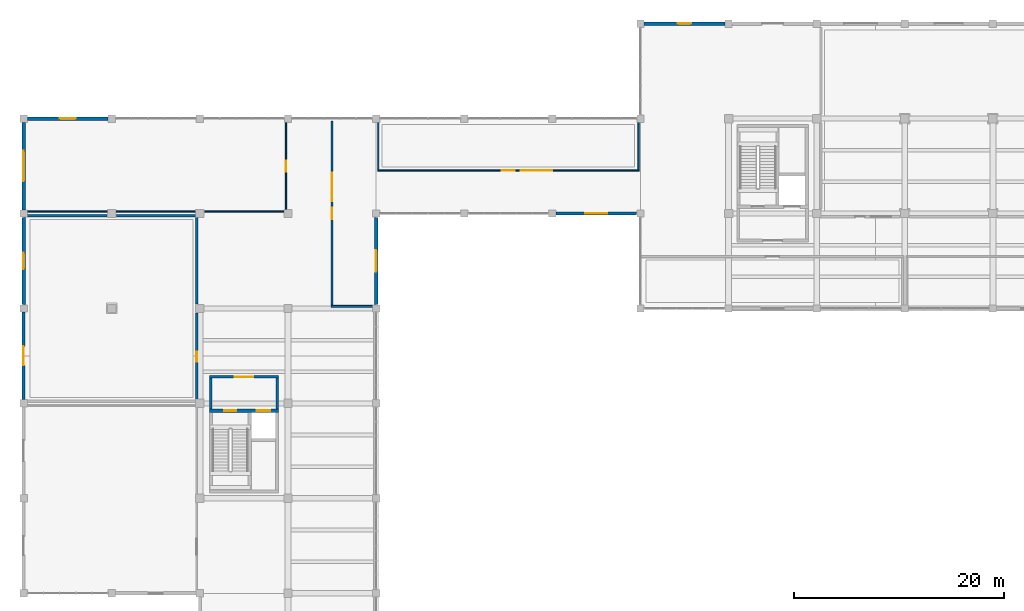
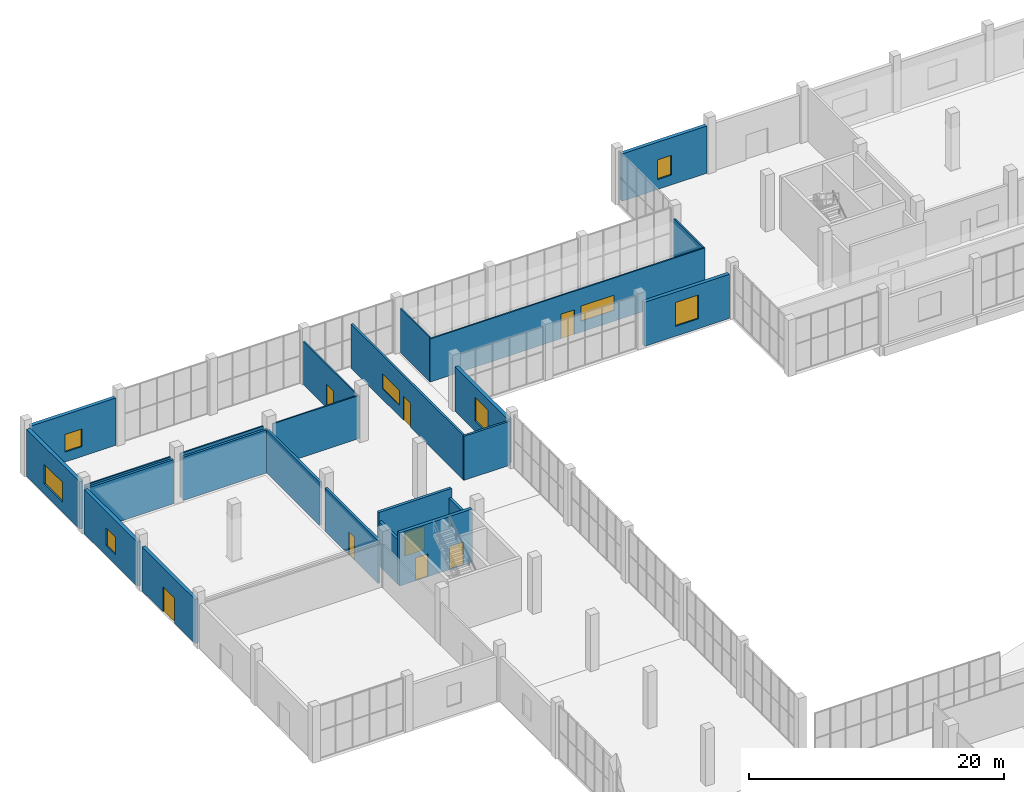
# One storey, part 80 of 91: 24 walls, 8 doors, 8 windows, 16 openings.
"""IFC4 building model written with IfcOpenShell, lengths in metres."""

from ifc_helpers import new_model, si_unit, direction, frame, frame_2d, origin, place, context, subcontext, project, spatial, rectangle, extrude, material, layer, layer_set, type_object, element, fill, save


model = new_model("IFC4")

# Units and contexts
model_context = context("Model", 3, precision=1e-05, world=origin(), true_north=direction((0.0, 1.0)))
body_context = subcontext(model_context, "Body", "Model", "MODEL_VIEW")
ifc_project = project(units=[si_unit("LENGTHUNIT", "METRE"), si_unit("AREAUNIT", "SQUARE_METRE"), si_unit("VOLUMEUNIT", "CUBIC_METRE"), si_unit("PLANEANGLEUNIT", "RADIAN"), si_unit("MASSUNIT", "GRAM", prefix="KILO")], contexts=[model_context])

# Site, building, storey
site_placement = place(None, origin())
site = spatial("IfcSite", under=ifc_project, at=site_placement, CompositionType="ELEMENT")
building_placement = place(site_placement, origin())
building = spatial("IfcBuilding", under=site, at=building_placement, Name="Khurvash Pelagic Aquarium", CompositionType="ELEMENT")
storey_placement = place(building_placement, origin())
storey = spatial("IfcBuildingStorey", under=building, at=storey_placement, Name="L00", CompositionType="ELEMENT", Elevation=0.0)

# Wall, opening, door
ifc_material_1 = material(Name="Precast concrete C40/50", Category="concrete")
ifc_layer_1 = layer(ifc_material_1, 0.300048828125)
ifc_layer_set_1 = layer_set([ifc_layer_1], Name="Precast concrete C40/50")
wall_type_1 = type_object("IfcWallType", Name="EW-300", PredefinedType="STANDARD", material=ifc_layer_set_1)
wall_1_placement = place(storey_placement, frame((0.0, 83.695068359375, 0.0), z_axis=(0.0, 0.0, 1.0), x_axis=(0.0, -1.0, 0.0)))
wall_1 = element("IfcWall", 1, at=wall_1_placement, inside=storey, type_object=wall_type_1, Name="L00 Exterior Architectural Facade Wall EW-300 0027", PredefinedType="STANDARD", context=body_context, shape_type="SweptSolid", body=[
    extrude(rectangle(XDim=8.340087890625, YDim=0.300048828125, at=frame_2d((4.169921875, 0.0))), origin(), (0.0, 0.0, 1.0), 4.239990234375),
])
opening_1_placement = place(wall_1_placement, frame((3.27001953125, 0.0, 0.0)))
opening_1 = element("IfcOpeningElement", 2, at=opening_1_placement, cuts=wall_1, Name="Opening ED-01", PredefinedType="OPENING", context=body_context, shape_type="SweptSolid", body=[
    extrude(rectangle(XDim=1.800048828125, YDim=2.39990234375, at=frame_2d((0.89990234375, 1.199951171875))), frame((0.0, 0.16015625, 0.0), z_axis=(0.0, -1.0, 0.0), x_axis=(1.0, 0.0, 0.0)), (0.0, 0.0, 1.0), 0.320068359375),
])
ifc_material_2 = material(Name="Thermally broken glazed aluminium", Category="aluminium")
door_type_1 = type_object("IfcDoorType", Name="ED-01", OperationType="DOUBLE_DOOR_SINGLE_SWING", PredefinedType="DOOR", material=ifc_material_2)
door_1_placement = place(opening_1_placement, frame((1.800048828125, 0.0, 0.0), z_axis=(0.0, 0.0, 1.0), x_axis=(-1.0, 0.0, 0.0)))
door_1 = element("IfcDoor", 3, at=door_1_placement, inside=storey, type_object=door_type_1, Name="DR-0057", OperationType="DOUBLE_DOOR_SINGLE_SWING", OverallHeight=2.39990234375, OverallWidth=1.800048828125, PredefinedType="DOOR", context=body_context, shape_type="SweptSolid", body=[
    extrude(rectangle(XDim=1.800048828125, YDim=2.39990234375, at=frame_2d((0.89990234375, 1.199951171875))), frame((0.0, 0.02490234375, 0.0), z_axis=(0.0, -1.0, 0.0), x_axis=(1.0, 0.0, 0.0)), (0.0, 0.0, 1.0), 0.050048828125),
])
fill(opening_1, door_1)

# Wall, opening, window
ifc_layer_2 = layer(ifc_material_1, 0.320068359375)
ifc_layer_set_2 = layer_set([ifc_layer_2], Name="Precast concrete C40/50")
wall_type_2 = type_object("IfcWallType", Name="EW-320", PredefinedType="STANDARD", material=ifc_layer_set_2)
wall_2_placement = place(storey_placement, frame((66.844970703125, 111.199951171875, 0.0), z_axis=(0.0, 0.0, 1.0), x_axis=(-1.0, 0.0, 0.0)))
wall_2 = element("IfcWall", 4, at=wall_2_placement, inside=storey, type_object=wall_type_2, Name="L00 Exterior Architectural Facade Wall EW-320 0023", PredefinedType="STANDARD", context=body_context, shape_type="SweptSolid", body=[
    extrude(rectangle(XDim=7.68994140625, YDim=0.320068359375, at=frame_2d((3.844970703125, 0.0))), origin(), (0.0, 0.0, 1.0), 4.531005859375),
])
opening_2_placement = place(wall_2_placement, frame((3.219970703125, 0.0, 0.949951171875)))
opening_2 = element("IfcOpeningElement", 5, at=opening_2_placement, cuts=wall_2, Name="Opening WN-31", PredefinedType="OPENING", context=body_context, shape_type="SweptSolid", body=[
    extrude(rectangle(XDim=1.25, YDim=1.89990234375, at=frame_2d((0.625, 0.949951171875))), frame((0.0, 0.169921875, 0.0), z_axis=(0.0, -1.0, 0.0), x_axis=(1.0, 0.0, 0.0)), (0.0, 0.0, 1.0), 0.340087890625),
])
ifc_material_3 = material(Name="Thermally broken aluminium and low-E glass", Category="aluminium")
window_type_1 = type_object("IfcWindowType", Name="WN-31", PartitioningType="SINGLE_PANEL", PredefinedType="WINDOW", material=ifc_material_3)
window_1_placement = place(opening_2_placement, origin())
window_1 = element("IfcWindow", 6, at=window_1_placement, inside=storey, type_object=window_type_1, Name="L00 Facade Window WN-31 0008", OverallHeight=1.89990234375, OverallWidth=1.25, PartitioningType="SINGLE_PANEL", PredefinedType="WINDOW", context=body_context, shape_type="SweptSolid", body=[
    extrude(rectangle(XDim=1.25, YDim=1.89990234375, at=frame_2d((0.625, 0.949951171875))), frame((0.0, 0.030029296875, 0.0), z_axis=(0.0, -1.0, 0.0), x_axis=(1.0, 0.0, 0.0)), (0.0, 0.0, 1.0), 0.06005859375),
])
fill(opening_2, window_1)

wall_3_placement = place(storey_placement, frame((8.044921875, 102.14990234375, 0.0), z_axis=(0.0, 0.0, 1.0), x_axis=(-1.0, 0.0, 0.0)))
wall_3 = element("IfcWall", 7, at=wall_3_placement, inside=storey, type_object=wall_type_2, Name="L00 Exterior Architectural Facade Wall EW-320 0024", PredefinedType="STANDARD", context=body_context, shape_type="SweptSolid", body=[
    extrude(rectangle(XDim=7.68994140625, YDim=0.320068359375, at=frame_2d((3.844970703125, 0.0))), origin(), (0.0, 0.0, 1.0), 4.531005859375),
])
opening_3_placement = place(wall_3_placement, frame((3.070068359375, 0.0, 0.949951171875)))
opening_3 = element("IfcOpeningElement", 8, at=opening_3_placement, cuts=wall_3, Name="Opening WN-28", PredefinedType="OPENING", context=body_context, shape_type="SweptSolid", body=[
    extrude(rectangle(XDim=1.550048828125, YDim=1.699951171875, at=frame_2d((0.77490234375, 0.85009765625))), frame((0.0, 0.169921875, 0.0), z_axis=(0.0, -1.0, 0.0), x_axis=(1.0, 0.0, 0.0)), (0.0, 0.0, 1.0), 0.340087890625),
])
window_type_2 = type_object("IfcWindowType", Name="WN-28", PartitioningType="SINGLE_PANEL", PredefinedType="WINDOW", material=ifc_material_3)
window_2_placement = place(opening_3_placement, origin())
window_2 = element("IfcWindow", 9, at=window_2_placement, inside=storey, type_object=window_type_2, Name="L00 Facade Window WN-28 0009", OverallHeight=1.699951171875, OverallWidth=1.550048828125, PartitioningType="SINGLE_PANEL", PredefinedType="WINDOW", context=body_context, shape_type="SweptSolid", body=[
    extrude(rectangle(XDim=1.550048828125, YDim=1.699951171875, at=frame_2d((0.77490234375, 0.85009765625))), frame((0.0, 0.030029296875, 0.0), z_axis=(0.0, -1.0, 0.0), x_axis=(1.0, 0.0, 0.0)), (0.0, 0.0, 1.0), 0.06005859375),
])
fill(opening_3, window_2)

wall_4_placement = place(storey_placement, frame((0.0, 101.794921875, 0.0), z_axis=(0.0, 0.0, 1.0), x_axis=(0.0, -1.0, 0.0)))
wall_4 = element("IfcWall", 10, at=wall_4_placement, inside=storey, type_object=wall_type_2, Name="L00 Exterior Architectural Facade Wall EW-320 0025", PredefinedType="STANDARD", context=body_context, shape_type="SweptSolid", body=[
    extrude(rectangle(XDim=8.33984375, YDim=0.320068359375, at=frame_2d((4.169921875, 0.0))), origin(), (0.0, 0.0, 1.0), 4.531005859375),
])
opening_4_placement = place(wall_4_placement, frame((2.719970703125, 0.0, 0.949951171875)))
opening_4 = element("IfcOpeningElement", 11, at=opening_4_placement, cuts=wall_4, Name="Opening WN-26", PredefinedType="OPENING", context=body_context, shape_type="SweptSolid", body=[
    extrude(rectangle(XDim=2.89990234375, YDim=1.89990234375, at=frame_2d((1.449951171875, 0.949951171875))), frame((0.0, 0.169921875, 0.0), z_axis=(0.0, -1.0, 0.0), x_axis=(1.0, 0.0, 0.0)), (0.0, 0.0, 1.0), 0.340087890625),
])
window_type_3 = type_object("IfcWindowType", Name="WN-26", PartitioningType="SINGLE_PANEL", PredefinedType="WINDOW", material=ifc_material_3)
window_3_placement = place(opening_4_placement, origin())
window_3 = element("IfcWindow", 12, at=window_3_placement, inside=storey, type_object=window_type_3, Name="L00 Facade Window WN-26 0010", OverallHeight=1.89990234375, OverallWidth=2.89990234375, PartitioningType="SINGLE_PANEL", PredefinedType="WINDOW", context=body_context, shape_type="SweptSolid", body=[
    extrude(rectangle(XDim=2.89990234375, YDim=1.89990234375, at=frame_2d((1.449951171875, 0.949951171875))), frame((0.0, 0.030029296875, 0.0), z_axis=(0.0, -1.0, 0.0), x_axis=(1.0, 0.0, 0.0)), (0.0, 0.0, 1.0), 0.06005859375),
])
fill(opening_4, window_3)

wall_5_placement = place(storey_placement, frame((0.0, 92.7451171875, 0.0), z_axis=(0.0, 0.0, 1.0), x_axis=(0.0, -1.0, 0.0)))
wall_5 = element("IfcWall", 13, at=wall_5_placement, inside=storey, type_object=wall_type_2, Name="L00 Exterior Architectural Facade Wall EW-320 0026", PredefinedType="STANDARD", context=body_context, shape_type="SweptSolid", body=[
    extrude(rectangle(XDim=8.340087890625, YDim=0.320068359375, at=frame_2d((4.169921875, 0.0))), origin(), (0.0, 0.0, 1.0), 4.239990234375),
])
opening_5_placement = place(wall_5_placement, frame((3.39501953125, 0.0, 0.949951171875)))
opening_5 = element("IfcOpeningElement", 14, at=opening_5_placement, cuts=wall_5, Name="Opening WN-28", PredefinedType="OPENING", context=body_context, shape_type="SweptSolid", body=[
    extrude(rectangle(XDim=1.550048828125, YDim=1.699951171875, at=frame_2d((0.77490234375, 0.85009765625))), frame((0.0, 0.169921875, 0.0), z_axis=(0.0, -1.0, 0.0), x_axis=(1.0, 0.0, 0.0)), (0.0, 0.0, 1.0), 0.340087890625),
])
window_4_placement = place(opening_5_placement, origin())
window_4 = element("IfcWindow", 15, at=window_4_placement, inside=storey, type_object=window_type_2, Name="L00 Facade Window WN-28 0011", OverallHeight=1.699951171875, OverallWidth=1.550048828125, PartitioningType="SINGLE_PANEL", PredefinedType="WINDOW", context=body_context, shape_type="SweptSolid", body=[
    extrude(rectangle(XDim=1.550048828125, YDim=1.699951171875, at=frame_2d((0.77490234375, 0.85009765625))), frame((0.0, 0.030029296875, 0.0), z_axis=(0.0, -1.0, 0.0), x_axis=(1.0, 0.0, 0.0)), (0.0, 0.0, 1.0), 0.06005859375),
])
fill(opening_5, window_4)

wall_6_placement = place(storey_placement, frame((33.60009765625, 84.405029296875, 0.0), z_axis=(0.0, 0.0, 1.0), x_axis=(0.0, 1.0, 0.0)))
wall_6 = element("IfcWall", 16, at=wall_6_placement, inside=storey, type_object=wall_type_2, Name="L00 Exterior Architectural Facade Wall EW-320 0032", PredefinedType="STANDARD", context=body_context, shape_type="SweptSolid", body=[
    extrude(rectangle(XDim=8.340087890625, YDim=0.320068359375, at=frame_2d((4.169921875, 0.0))), origin(), (0.0, 0.0, 1.0), 4.239990234375),
])
opening_6_placement = place(wall_6_placement, frame((3.1298828125, 0.0, 0.949951171875)))
opening_6 = element("IfcOpeningElement", 17, at=opening_6_placement, cuts=wall_6, Name="Opening WN-36", PredefinedType="OPENING", context=body_context, shape_type="SweptSolid", body=[
    extrude(rectangle(XDim=2.080078125, YDim=2.280029296875, at=frame_2d((1.0400390625, 1.14013671875))), frame((0.0, 0.169921875, 0.0), z_axis=(0.0, -1.0, 0.0), x_axis=(1.0, 0.0, 0.0)), (0.0, 0.0, 1.0), 0.340087890625),
])
window_type_4 = type_object("IfcWindowType", Name="WN-36", PartitioningType="SINGLE_PANEL", PredefinedType="WINDOW", material=ifc_material_3)
window_5_placement = place(opening_6_placement, origin())
window_5 = element("IfcWindow", 18, at=window_5_placement, inside=storey, type_object=window_type_4, Name="L00 Facade Window WN-36 0014", OverallHeight=2.280029296875, OverallWidth=2.080078125, PartitioningType="SINGLE_PANEL", PredefinedType="WINDOW", context=body_context, shape_type="SweptSolid", body=[
    extrude(rectangle(XDim=2.080078125, YDim=2.280029296875, at=frame_2d((1.0400390625, 1.14013671875))), frame((0.0, 0.030029296875, 0.0), z_axis=(0.0, -1.0, 0.0), x_axis=(1.0, 0.0, 0.0)), (0.0, 0.0, 1.0), 0.06005859375),
])
fill(opening_6, window_5)

wall_7_placement = place(storey_placement, frame((50.7548828125, 93.10009765625, 0.0), z_axis=(0.0, 0.0, 1.0), x_axis=(1.0, 0.0, 0.0)))
wall_7 = element("IfcWall", 19, at=wall_7_placement, inside=storey, type_object=wall_type_2, Name="L00 Exterior Architectural Facade Wall EW-320 0033", PredefinedType="STANDARD", context=body_context, shape_type="SweptSolid", body=[
    extrude(rectangle(XDim=7.690185546875, YDim=0.320068359375, at=frame_2d((3.84521484375, 0.0))), origin(), (0.0, 0.0, 1.0), 4.22998046875),
])
opening_7_placement = place(wall_7_placement, frame((2.804931640625, 0.0, 0.949951171875)))
opening_7 = element("IfcOpeningElement", 20, at=opening_7_placement, cuts=wall_7, Name="Opening WN-36", PredefinedType="OPENING", context=body_context, shape_type="SweptSolid", body=[
    extrude(rectangle(XDim=2.080078125, YDim=2.280029296875, at=frame_2d((1.0400390625, 1.14013671875))), frame((0.0, 0.169921875, 0.0), z_axis=(0.0, -1.0, 0.0), x_axis=(1.0, 0.0, 0.0)), (0.0, 0.0, 1.0), 0.340087890625),
])
window_6_placement = place(opening_7_placement, origin())
window_6 = element("IfcWindow", 21, at=window_6_placement, inside=storey, type_object=window_type_4, Name="L00 Facade Window WN-36 0015", OverallHeight=2.280029296875, OverallWidth=2.080078125, PartitioningType="SINGLE_PANEL", PredefinedType="WINDOW", context=body_context, shape_type="SweptSolid", body=[
    extrude(rectangle(XDim=2.080078125, YDim=2.280029296875, at=frame_2d((1.0400390625, 1.14013671875))), frame((0.0, 0.030029296875, 0.0), z_axis=(0.0, -1.0, 0.0), x_axis=(1.0, 0.0, 0.0)), (0.0, 0.0, 1.0), 0.06005859375),
])
fill(opening_7, window_6)

# Wall, opening, door
ifc_material_4 = material(Name="Moisture-resistant gypsum and steel stud", Category="steel")
ifc_layer_3 = layer(ifc_material_4, 0.125)
ifc_layer_set_3 = layer_set([ifc_layer_3], Name="Moisture-resistant gypsum and steel stud")
wall_type_3 = type_object("IfcWallType", Name="PW-125", PredefinedType="PARTITIONING", material=ifc_layer_set_3)
wall_8_placement = place(storey_placement, frame((25.0, 93.362060546875, 0.0), z_axis=(0.0, 0.0, 1.0), x_axis=(0.0, 1.0, 0.0)))
wall_8 = element("IfcWall", 22, at=wall_8_placement, inside=storey, type_object=wall_type_3, Name="L00 STEM Marine Discovery Classroom 2 Partition Wall PW-125", PredefinedType="PARTITIONING", context=body_context, shape_type="SweptSolid", body=[
    extrude(rectangle(XDim=8.52587890625, YDim=0.125, at=frame_2d((4.262939453125, 0.0))), origin(), (0.0, 0.0, 1.0), 4.139892578125),
])
opening_8_placement = place(wall_8_placement, frame((3.742919921875, 0.0, 0.0)))
opening_8 = element("IfcOpeningElement", 23, at=opening_8_placement, cuts=wall_8, Name="Opening ID-10", PredefinedType="OPENING", context=body_context, shape_type="SweptSolid", body=[
    extrude(rectangle(XDim=1.0400390625, YDim=2.25, at=frame_2d((0.52001953125, 1.125))), frame((0.0, 0.072509765625, 0.0), z_axis=(0.0, -1.0, 0.0), x_axis=(1.0, 0.0, 0.0)), (0.0, 0.0, 1.0), 0.14501953125),
])
ifc_material_5 = material(Name="Acoustic classroom door", Category="wood")
door_type_2 = type_object("IfcDoorType", Name="ID-10", OperationType="NOTDEFINED", PredefinedType="DOOR", material=ifc_material_5)
door_2_placement = place(opening_8_placement, origin())
door_2 = element("IfcDoor", 24, at=door_2_placement, inside=storey, type_object=door_type_2, Name="DR-0077", OperationType="SINGLE_SWING_LEFT", OverallHeight=2.25, OverallWidth=1.0400390625, PredefinedType="DOOR", context=body_context, shape_type="SweptSolid", body=[
    extrude(rectangle(XDim=1.0400390625, YDim=2.25, at=frame_2d((0.52001953125, 1.125))), frame((0.0, 0.02490234375, 0.0), z_axis=(0.0, -1.0, 0.0), x_axis=(1.0, 0.0, 0.0)), (0.0, 0.0, 1.0), 0.050048828125),
])
fill(opening_8, door_2)

# Walls
wall_9_placement = place(storey_placement, frame((0.18798828125, 93.300048828125, 0.0), z_axis=(0.0, 0.0, 1.0), x_axis=(1.0, 0.0, 0.0)))
element("IfcWall", 25, at=wall_9_placement, inside=storey, type_object=wall_type_3, Name="L00 STEM Marine Discovery Classroom 2 Partition Wall PW-125", PredefinedType="PARTITIONING", context=body_context, shape_type="SweptSolid", body=[
    extrude(rectangle(XDim=7.77197265625, YDim=0.125, at=frame_2d((3.885986328125, 0.0))), origin(), (0.0, 0.0, 1.0), 4.22998046875),
])
wall_10_placement = place(storey_placement, frame((8.840087890625, 93.300048828125, 0.0), z_axis=(0.0, 0.0, 1.0), x_axis=(1.0, 0.0, 0.0)))
element("IfcWall", 26, at=wall_10_placement, inside=storey, type_object=wall_type_3, Name="L00 STEM Marine Discovery Classroom 2 Partition Wall PW-125", PredefinedType="PARTITIONING", context=body_context, shape_type="SweptSolid", body=[
    extrude(rectangle(XDim=7.52001953125, YDim=0.125, at=frame_2d((3.760009765625, 0.0))), origin(), (0.0, 0.0, 1.0), 4.22998046875),
])
wall_11_placement = place(storey_placement, frame((17.239990234375, 93.300048828125, 0.0), z_axis=(0.0, 0.0, 1.0), x_axis=(1.0, 0.0, 0.0)))
element("IfcWall", 27, at=wall_11_placement, inside=storey, type_object=wall_type_3, Name="L00 STEM Marine Discovery Classroom 2 Partition Wall PW-125", PredefinedType="PARTITIONING", context=body_context, shape_type="SweptSolid", body=[
    extrude(rectangle(XDim=7.822021484375, YDim=0.125, at=frame_2d((3.9111328125, 0.0))), origin(), (0.0, 0.0, 1.0), 4.139892578125),
])

# Wall, openings, door, window
wall_12_placement = place(storey_placement, frame((33.737060546875, 97.199951171875, 0.0), z_axis=(0.0, 0.0, 1.0), x_axis=(1.0, 0.0, 0.0)))
wall_12 = element("IfcWall", 28, at=wall_12_placement, inside=storey, type_object=wall_type_3, Name="L00 Dry Feed and Salt Bag Store Partition Wall PW-125", PredefinedType="PARTITIONING", context=body_context, shape_type="SweptSolid", body=[
    extrude(rectangle(XDim=24.926025390625, YDim=0.125, at=frame_2d((12.462890625, 0.0))), origin(), (0.0, 0.0, 1.0), 4.139892578125),
])
opening_9_placement = place(wall_12_placement, frame((11.85302734375, 0.0, 0.0)))
opening_9 = element("IfcOpeningElement", 29, at=opening_9_placement, cuts=wall_12, Name="Opening ID-12", PredefinedType="OPENING", context=body_context, shape_type="SweptSolid", body=[
    extrude(rectangle(XDim=1.219970703125, YDim=2.35009765625, at=frame_2d((0.60986328125, 1.175048828125))), frame((0.0, 0.072509765625, 0.0), z_axis=(0.0, -1.0, 0.0), x_axis=(1.0, 0.0, 0.0)), (0.0, 0.0, 1.0), 0.14501953125),
])
opening_10_placement = place(wall_12_placement, frame((13.673095703125, 0.0, 1.050048828125)))
opening_10 = element("IfcOpeningElement", 30, at=opening_10_placement, cuts=wall_12, Name="Opening IW-06", PredefinedType="OPENING", context=body_context, shape_type="SweptSolid", body=[
    extrude(rectangle(XDim=3.0, YDim=1.449951171875, at=frame_2d((1.5, 0.72509765625))), frame((0.0, 0.072509765625, 0.0), z_axis=(0.0, -1.0, 0.0), x_axis=(1.0, 0.0, 0.0)), (0.0, 0.0, 1.0), 0.14501953125),
])
ifc_material_6 = material(Name="Marine genomics clean-lab door", Category="wood")
door_type_3 = type_object("IfcDoorType", Name="ID-12", OperationType="NOTDEFINED", PredefinedType="DOOR", material=ifc_material_6)
door_3_placement = place(opening_9_placement, origin())
door_3 = element("IfcDoor", 31, at=door_3_placement, inside=storey, type_object=door_type_3, Name="DR-0079", OperationType="SINGLE_SWING_LEFT", OverallHeight=2.35009765625, OverallWidth=1.219970703125, PredefinedType="DOOR", context=body_context, shape_type="SweptSolid", body=[
    extrude(rectangle(XDim=1.219970703125, YDim=2.35009765625, at=frame_2d((0.60986328125, 1.175048828125))), frame((0.0, 0.02490234375, 0.0), z_axis=(0.0, -1.0, 0.0), x_axis=(1.0, 0.0, 0.0)), (0.0, 0.0, 1.0), 0.050048828125),
])
fill(opening_9, door_3)
ifc_material_7 = material(Name="Acoustic laminated interior observation glazing", Category="glass")
window_type_5 = type_object("IfcWindowType", Name="IW-06", PartitioningType="SINGLE_PANEL", PredefinedType="WINDOW", material=ifc_material_7)
window_7_placement = place(opening_10_placement, origin())
window_7 = element("IfcWindow", 32, at=window_7_placement, inside=storey, type_object=window_type_5, Name="L00 Dry Feed and Salt Bag Store Observation Window IW-06", OverallHeight=1.449951171875, OverallWidth=3.0, PartitioningType="SINGLE_PANEL", PredefinedType="WINDOW", context=body_context, shape_type="SweptSolid", body=[
    extrude(rectangle(XDim=3.0, YDim=1.449951171875, at=frame_2d((1.5, 0.72509765625))), frame((0.0, 0.030029296875, 0.0), z_axis=(0.0, -1.0, 0.0), x_axis=(1.0, 0.0, 0.0)), (0.0, 0.0, 1.0), 0.06005859375),
])
fill(opening_10, window_7)

# Walls
wall_13_placement = place(storey_placement, frame((58.60009765625, 97.262939453125, 0.0), z_axis=(0.0, 0.0, 1.0), x_axis=(0.0, 1.0, 0.0)))
element("IfcWall", 33, at=wall_13_placement, inside=storey, type_object=wall_type_3, Name="L00 Dry Feed and Salt Bag Store Partition Wall PW-125", PredefinedType="PARTITIONING", context=body_context, shape_type="SweptSolid", body=[
    extrude(rectangle(XDim=4.625, YDim=0.125, at=frame_2d((2.3125, 0.0))), origin(), (0.0, 0.0, 1.0), 4.139892578125),
])
wall_14_placement = place(storey_placement, frame((33.800048828125, 97.262939453125, 0.0), z_axis=(0.0, 0.0, 1.0), x_axis=(0.0, 1.0, 0.0)))
element("IfcWall", 34, at=wall_14_placement, inside=storey, type_object=wall_type_3, Name="L00 Dry Feed and Salt Bag Store Partition Wall PW-125", PredefinedType="PARTITIONING", context=body_context, shape_type="SweptSolid", body=[
    extrude(rectangle(XDim=4.625, YDim=0.125, at=frame_2d((2.3125, 0.0))), origin(), (0.0, 0.0, 1.0), 4.22998046875),
])

# Wall, openings, door, window
ifc_material_8 = material(Name="AAC blockwork", Category="masonry")
ifc_layer_4 = layer(ifc_material_8, 0.18505859375)
ifc_layer_set_4 = layer_set([ifc_layer_4], Name="AAC blockwork")
wall_type_4 = type_object("IfcWallType", Name="PW-185", PredefinedType="PARTITIONING", material=ifc_layer_set_4)
wall_15_placement = place(storey_placement, frame((29.39990234375, 84.343017578125, 0.0), z_axis=(0.0, 0.0, 1.0), x_axis=(0.0, 1.0, 0.0)))
wall_15 = element("IfcWall", 35, at=wall_15_placement, inside=storey, type_object=wall_type_4, Name="L00 Education Staff Office Partition Wall PW-185", PredefinedType="PARTITIONING", context=body_context, shape_type="SweptSolid", body=[
    extrude(rectangle(XDim=17.56396484375, YDim=0.18505859375, at=frame_2d((8.781982421875, 0.0))), origin(), (0.0, 0.0, 1.0), 4.22998046875),
])
opening_11_placement = place(wall_15_placement, frame((8.23193359375, 0.0, 0.0)))
opening_11 = element("IfcOpeningElement", 36, at=opening_11_placement, cuts=wall_15, Name="Opening ID-11", PredefinedType="OPENING", context=body_context, shape_type="SweptSolid", body=[
    extrude(rectangle(XDim=1.10009765625, YDim=2.300048828125, at=frame_2d((0.550048828125, 1.14990234375))), frame((0.0, 0.1025390625, 0.0), z_axis=(0.0, -1.0, 0.0), x_axis=(1.0, 0.0, 0.0)), (0.0, 0.0, 1.0), 0.205078125),
])
opening_12_placement = place(wall_15_placement, frame((9.931884765625, 0.0, 1.050048828125)))
opening_12 = element("IfcOpeningElement", 37, at=opening_12_placement, cuts=wall_15, Name="Opening IW-05", PredefinedType="OPENING", context=body_context, shape_type="SweptSolid", body=[
    extrude(rectangle(XDim=2.699951171875, YDim=1.39990234375, at=frame_2d((1.35009765625, 0.699951171875))), frame((0.0, 0.1025390625, 0.0), z_axis=(0.0, -1.0, 0.0), x_axis=(1.0, 0.0, 0.0)), (0.0, 0.0, 1.0), 0.205078125),
])
ifc_material_9 = material(Name="Acoustic seminar room door", Category="wood")
door_type_4 = type_object("IfcDoorType", Name="ID-11", OperationType="NOTDEFINED", PredefinedType="DOOR", material=ifc_material_9)
door_4_placement = place(opening_11_placement, frame((1.10009765625, 0.0, 0.0), z_axis=(0.0, 0.0, 1.0), x_axis=(-1.0, 0.0, 0.0)))
door_4 = element("IfcDoor", 38, at=door_4_placement, inside=storey, type_object=door_type_4, Name="DR-0078", OperationType="SINGLE_SWING_RIGHT", OverallHeight=2.300048828125, OverallWidth=1.10009765625, PredefinedType="DOOR", context=body_context, shape_type="SweptSolid", body=[
    extrude(rectangle(XDim=1.10009765625, YDim=2.300048828125, at=frame_2d((0.550048828125, 1.14990234375))), frame((0.0, 0.02490234375, 0.0), z_axis=(0.0, -1.0, 0.0), x_axis=(1.0, 0.0, 0.0)), (0.0, 0.0, 1.0), 0.050048828125),
])
fill(opening_11, door_4)
window_type_6 = type_object("IfcWindowType", Name="IW-05", PartitioningType="SINGLE_PANEL", PredefinedType="WINDOW", material=ifc_material_7)
window_8_placement = place(opening_12_placement, origin())
window_8 = element("IfcWindow", 39, at=window_8_placement, inside=storey, type_object=window_type_6, Name="L00 Education Staff Office Observation Window IW-05", OverallHeight=1.39990234375, OverallWidth=2.699951171875, PartitioningType="SINGLE_PANEL", PredefinedType="WINDOW", context=body_context, shape_type="SweptSolid", body=[
    extrude(rectangle(XDim=2.699951171875, YDim=1.39990234375, at=frame_2d((1.35009765625, 0.699951171875))), frame((0.0, 0.030029296875, 0.0), z_axis=(0.0, -1.0, 0.0), x_axis=(1.0, 0.0, 0.0)), (0.0, 0.0, 1.0), 0.06005859375),
])
fill(opening_12, window_8)

# Wall
wall_16_placement = place(storey_placement, frame((29.306884765625, 84.25, 0.0), z_axis=(0.0, 0.0, 1.0), x_axis=(1.0, 0.0, 0.0)))
element("IfcWall", 40, at=wall_16_placement, inside=storey, type_object=wall_type_4, Name="L00 Education Staff Office Partition Wall PW-185", PredefinedType="PARTITIONING", context=body_context, shape_type="SweptSolid", body=[
    extrude(rectangle(XDim=4.18505859375, YDim=0.18505859375, at=frame_2d((2.092529296875, 0.0))), origin(), (0.0, 0.0, 1.0), 4.22998046875),
])

# Wall, opening, door
ifc_layer_5 = layer(ifc_material_8, 0.215087890625)
ifc_layer_set_5 = layer_set([ifc_layer_5], Name="AAC blockwork")
wall_type_5 = type_object("IfcWallType", Name="PW-215", PredefinedType="PARTITIONING", material=ifc_layer_set_5)
wall_17_placement = place(storey_placement, frame((16.5, 75.30810546875, 0.0), z_axis=(0.0, 0.0, 1.0), x_axis=(0.0, 1.0, 0.0)))
wall_17 = element("IfcWall", 41, at=wall_17_placement, inside=storey, type_object=wall_type_5, Name="L00 STEM Marine Discovery Classroom 1 Partition Wall PW-215", PredefinedType="PARTITIONING", context=body_context, shape_type="SweptSolid", body=[
    extrude(rectangle(XDim=8.302001953125, YDim=0.215087890625, at=frame_2d((4.15087890625, 0.0))), origin(), (0.0, 0.0, 1.0), 4.139892578125),
])
opening_13_placement = place(wall_17_placement, frame((3.6708984375, 0.0, 0.0)))
opening_13 = element("IfcOpeningElement", 42, at=opening_13_placement, cuts=wall_17, Name="Opening ID-09", PredefinedType="OPENING", context=body_context, shape_type="SweptSolid", body=[
    extrude(rectangle(XDim=0.9599609375, YDim=2.199951171875, at=frame_2d((0.47998046875, 1.10009765625))), frame((0.0, 0.11767578125, 0.0), z_axis=(0.0, -1.0, 0.0), x_axis=(1.0, 0.0, 0.0)), (0.0, 0.0, 1.0), 0.235107421875),
])
ifc_material_10 = material(Name="Solid-core curatorial office door", Category="wood")
door_type_5 = type_object("IfcDoorType", Name="ID-09", OperationType="NOTDEFINED", PredefinedType="DOOR", material=ifc_material_10)
door_5_placement = place(opening_13_placement, origin())
door_5 = element("IfcDoor", 43, at=door_5_placement, inside=storey, type_object=door_type_5, Name="DR-0076", OperationType="SINGLE_SWING_RIGHT", OverallHeight=2.199951171875, OverallWidth=0.9599609375, PredefinedType="DOOR", context=body_context, shape_type="SweptSolid", body=[
    extrude(rectangle(XDim=0.9599609375, YDim=2.199951171875, at=frame_2d((0.47998046875, 1.10009765625))), frame((0.0, 0.02490234375, 0.0), z_axis=(0.0, -1.0, 0.0), x_axis=(1.0, 0.0, 0.0)), (0.0, 0.0, 1.0), 0.050048828125),
])
fill(opening_13, door_5)

# Walls
wall_18_placement = place(storey_placement, frame((16.5, 84.489990234375, 0.0), z_axis=(0.0, 0.0, 1.0), x_axis=(0.0, 1.0, 0.0)))
element("IfcWall", 44, at=wall_18_placement, inside=storey, type_object=wall_type_5, Name="L00 STEM Marine Discovery Classroom 1 Partition Wall PW-215", PredefinedType="PARTITIONING", context=body_context, shape_type="SweptSolid", body=[
    extrude(rectangle(XDim=8.302978515625, YDim=0.215087890625, at=frame_2d((4.1513671875, 0.0))), origin(), (0.0, 0.0, 1.0), 4.139892578125),
])
wall_19_placement = place(storey_placement, frame((0.14306640625, 92.89990234375, 0.0), z_axis=(0.0, 0.0, 1.0), x_axis=(1.0, 0.0, 0.0)))
element("IfcWall", 45, at=wall_19_placement, inside=storey, type_object=wall_type_5, Name="L00 STEM Marine Discovery Classroom 1 Partition Wall PW-215", PredefinedType="PARTITIONING", context=body_context, shape_type="SweptSolid", body=[
    extrude(rectangle(XDim=7.81689453125, YDim=0.215087890625, at=frame_2d((3.908447265625, 0.0))), origin(), (0.0, 0.0, 1.0), 4.22998046875),
])
wall_20_placement = place(storey_placement, frame((8.840087890625, 92.89990234375, 0.0), z_axis=(0.0, 0.0, 1.0), x_axis=(1.0, 0.0, 0.0)))
element("IfcWall", 46, at=wall_20_placement, inside=storey, type_object=wall_type_5, Name="L00 STEM Marine Discovery Classroom 1 Partition Wall PW-215", PredefinedType="PARTITIONING", context=body_context, shape_type="SweptSolid", body=[
    extrude(rectangle(XDim=7.767822265625, YDim=0.215087890625, at=frame_2d((3.8837890625, 0.0))), origin(), (0.0, 0.0, 1.0), 4.139892578125),
])

# Wall, opening, door
ifc_layer_6 = layer(ifc_material_8, 0.25)
ifc_layer_set_6 = layer_set([ifc_layer_6], Name="AAC blockwork")
wall_type_6 = type_object("IfcWallType", Name="PW-250", PredefinedType="PARTITIONING", material=ifc_layer_set_6)
wall_21_placement = place(storey_placement, frame((17.699951171875, 77.52490234375, 0.0), z_axis=(0.0, 0.0, 1.0), x_axis=(1.0, 0.0, 0.0)))
wall_21 = element("IfcWall", 47, at=wall_21_placement, inside=storey, type_object=wall_type_6, Name="L00 Core C5 Lobby Front Fire Wall PW-250", PredefinedType="PARTITIONING", context=body_context, shape_type="SweptSolid", body=[
    extrude(rectangle(XDim=6.60009765625, YDim=0.25, at=frame_2d((3.300048828125, 0.0))), origin(), (0.0, 0.0, 1.0), 5.090087890625),
])
opening_14_placement = place(wall_21_placement, frame((2.39990234375, 0.0, 0.0)))
opening_14 = element("IfcOpeningElement", 48, at=opening_14_placement, cuts=wall_21, Name="Opening FD-02", PredefinedType="OPENING", context=body_context, shape_type="SweptSolid", body=[
    extrude(rectangle(XDim=1.800048828125, YDim=2.25, at=frame_2d((0.89990234375, 1.125))), frame((0.0, 0.135009765625, 0.0), z_axis=(0.0, -1.0, 0.0), x_axis=(1.0, 0.0, 0.0)), (0.0, 0.0, 1.0), 0.27001953125),
])
ifc_material_11 = material(Name="Galvanised steel double fire door", Category="steel")
door_type_6 = type_object("IfcDoorType", Name="FD-02", OperationType="DOUBLE_DOOR_SINGLE_SWING", PredefinedType="DOOR", material=ifc_material_11)
door_6_placement = place(opening_14_placement, origin())
door_6 = element("IfcDoor", 49, at=door_6_placement, inside=storey, type_object=door_type_6, Name="DR-0088", OperationType="DOUBLE_DOOR_SINGLE_SWING", OverallHeight=2.25, OverallWidth=1.800048828125, PredefinedType="DOOR", context=body_context, shape_type="SweptSolid", body=[
    extrude(rectangle(XDim=1.800048828125, YDim=2.25, at=frame_2d((0.89990234375, 1.125))), frame((0.0, 0.02490234375, 0.0), z_axis=(0.0, -1.0, 0.0), x_axis=(1.0, 0.0, 0.0)), (0.0, 0.0, 1.0), 0.050048828125),
])
fill(opening_14, door_6)

# Walls
for number, where, z_axis, x_axis, name in (
    (50, (17.824951171875, 74.449951171875, 0.0), (0.0, 0.0, 1.0), (0.0, 1.0, 0.0), "L00 Core C5 Lobby West Fire Wall PW-250"),
    (51, (24.175048828125, 74.449951171875, 0.0), (0.0, 0.0, 1.0), (0.0, 1.0, 0.0), "L00 Core C5 Lobby East Fire Wall PW-250"),
):
    element("IfcWall", number, at=place(storey_placement, frame(where, z_axis=z_axis, x_axis=x_axis)), inside=storey, type_object=wall_type_6, Name=name, PredefinedType="PARTITIONING", context=body_context, shape_type="SweptSolid", body=[
        extrude(rectangle(XDim=2.949951171875, YDim=0.25, at=frame_2d((1.47509765625, 0.0))), origin(), (0.0, 0.0, 1.0), 4.22998046875),
    ])

# Wall, openings, doors
ifc_material_12 = material(Name="Concrete C40/50", Category="concrete")
ifc_layer_7 = layer(ifc_material_12, 0.300048828125)
ifc_layer_set_7 = layer_set([ifc_layer_7], Name="Concrete C40/50")
wall_type_7 = type_object("IfcWallType", Name="SW-300", PredefinedType="SHEAR", material=ifc_layer_set_7)
wall_22_placement = place(storey_placement, frame((17.699951171875, 74.300048828125, 0.0), z_axis=(0.0, 0.0, 1.0), x_axis=(1.0, 0.0, 0.0)))
wall_22 = element("IfcWall", 52, at=wall_22_placement, inside=storey, type_object=wall_type_7, Name="L00 Core C5 North Shear Wall SW-300", PredefinedType="SHEAR", context=body_context, shape_type="SweptSolid", body=[
    extrude(rectangle(XDim=6.60009765625, YDim=0.300048828125, at=frame_2d((3.300048828125, 0.0))), origin(), (0.0, 0.0, 1.0), 5.090087890625),
])
opening_15_placement = place(wall_22_placement, frame((1.425048828125, 0.0, 0.0)))
opening_15 = element("IfcOpeningElement", 53, at=opening_15_placement, cuts=wall_22, Name="Opening FD-01", PredefinedType="OPENING", context=body_context, shape_type="SweptSolid", body=[
    extrude(rectangle(XDim=1.14990234375, YDim=2.199951171875, at=frame_2d((0.574951171875, 1.10009765625))), frame((0.0, 0.16015625, 0.0), z_axis=(0.0, -1.0, 0.0), x_axis=(1.0, 0.0, 0.0)), (0.0, 0.0, 1.0), 0.320068359375),
])
opening_16_placement = place(wall_22_placement, frame((4.5, 0.0, 0.0)))
opening_16 = element("IfcOpeningElement", 54, at=opening_16_placement, cuts=wall_22, Name="Opening LD-02", PredefinedType="OPENING", context=body_context, shape_type="SweptSolid", body=[
    extrude(rectangle(XDim=1.300048828125, YDim=2.199951171875, at=frame_2d((0.64990234375, 1.10009765625))), frame((0.0, 0.16015625, 0.0), z_axis=(0.0, -1.0, 0.0), x_axis=(1.0, 0.0, 0.0)), (0.0, 0.0, 1.0), 0.320068359375),
])
ifc_material_13 = material(Name="Galvanised steel fire door", Category="steel")
door_type_7 = type_object("IfcDoorType", Name="FD-01", OperationType="NOTDEFINED", PredefinedType="DOOR", material=ifc_material_13)
door_7_placement = place(opening_15_placement, origin())
door_7 = element("IfcDoor", 55, at=door_7_placement, inside=storey, type_object=door_type_7, Name="DR-0036", OperationType="SINGLE_SWING_RIGHT", OverallHeight=2.199951171875, OverallWidth=1.14990234375, PredefinedType="DOOR", context=body_context, shape_type="SweptSolid", body=[
    extrude(rectangle(XDim=1.14990234375, YDim=2.199951171875, at=frame_2d((0.574951171875, 1.10009765625))), frame((0.0, 0.02490234375, 0.0), z_axis=(0.0, -1.0, 0.0), x_axis=(1.0, 0.0, 0.0)), (0.0, 0.0, 1.0), 0.050048828125),
])
fill(opening_15, door_7)
ifc_material_14 = material(Name="Brushed stainless steel 316 lift landing door", Category="steel")
door_type_8 = type_object("IfcDoorType", Name="LD-02", OperationType="DOUBLE_DOOR_SLIDING", PredefinedType="DOOR", material=ifc_material_14)
door_8_placement = place(opening_16_placement, origin())
door_8 = element("IfcDoor", 56, at=door_8_placement, inside=storey, type_object=door_type_8, Name="DR-0042", OperationType="DOUBLE_DOOR_SLIDING", OverallHeight=2.199951171875, OverallWidth=1.300048828125, PredefinedType="DOOR", context=body_context, shape_type="SweptSolid", body=[
    extrude(rectangle(XDim=1.300048828125, YDim=2.199951171875, at=frame_2d((0.64990234375, 1.10009765625))), frame((0.0, 0.02490234375, 0.0), z_axis=(0.0, -1.0, 0.0), x_axis=(1.0, 0.0, 0.0)), (0.0, 0.0, 1.0), 0.050048828125),
])
fill(opening_16, door_8)

save(model, "model.ifc")
